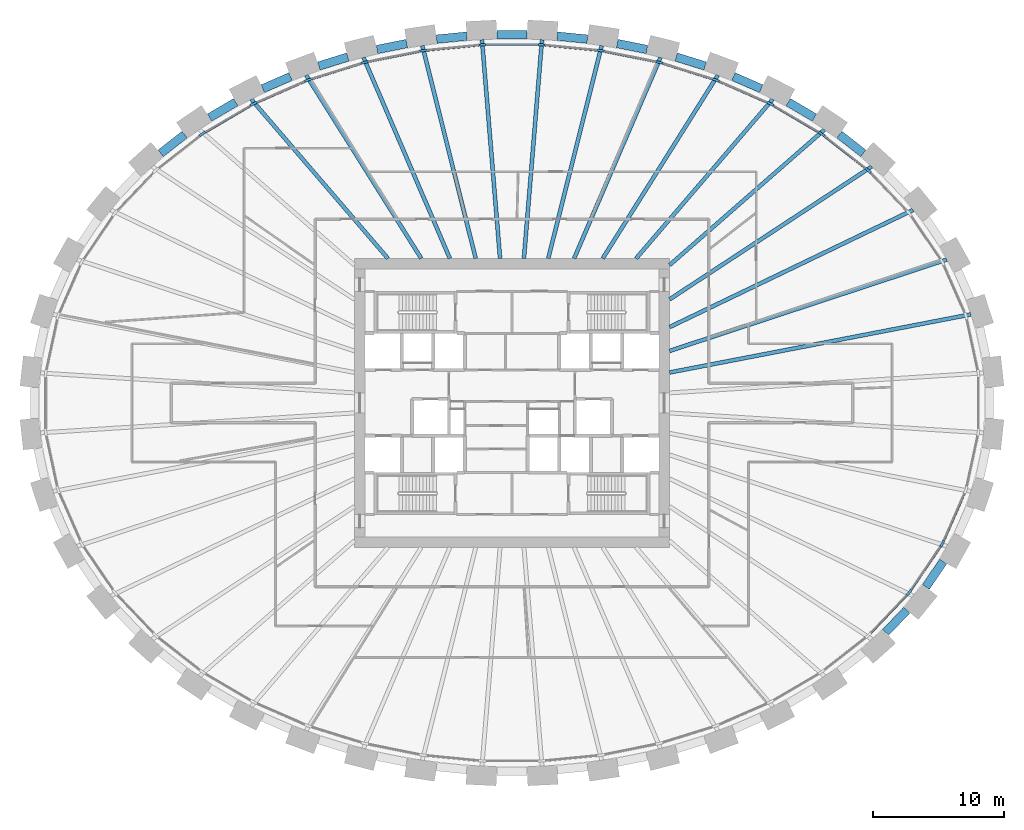
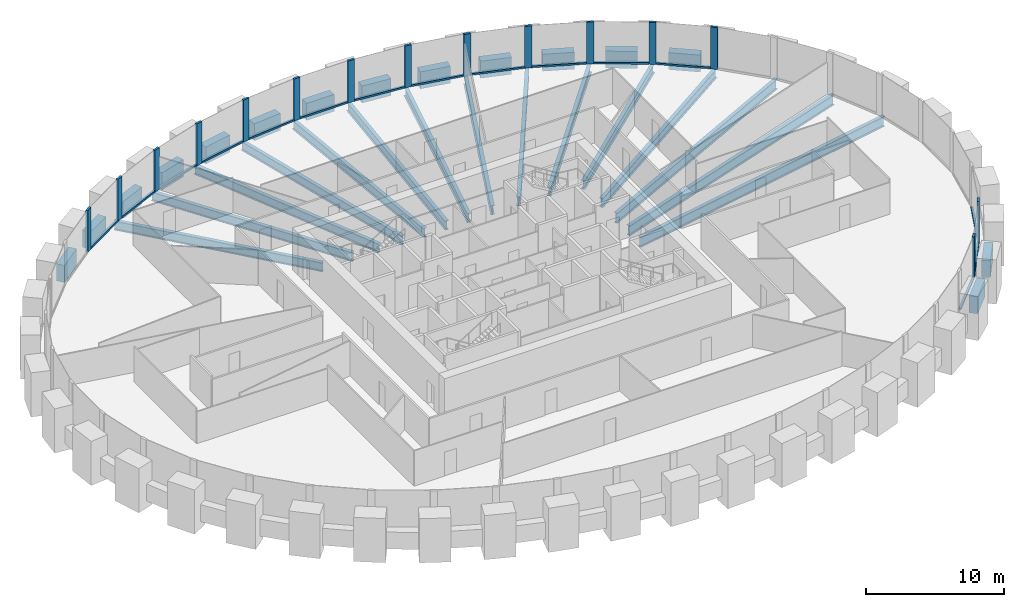
# One storey, part 3 of 11: 30 beams, 30 members, 1 element without a shape of its own.
"""IFC4 building model written with IfcOpenShell, lengths in metres."""

from ifc_helpers import new_model, si_unit, direction, frame, origin, origin_2d, place, context, subcontext, project, spatial, rectangle, i_section, extrude, source, transform, mapped, material, material_profile, profile_set, type_object, element, aggregate, save


model = new_model("IFC4")

# Units and contexts
model_context = context("Model", 3, precision=1e-05, world=origin(), true_north=direction((0.0, 1.0)))
body_context = subcontext(model_context, "Body", "Model", "MODEL_VIEW")
ifc_project = project(units=[si_unit("LENGTHUNIT", "METRE"), si_unit("AREAUNIT", "SQUARE_METRE"), si_unit("VOLUMEUNIT", "CUBIC_METRE"), si_unit("PLANEANGLEUNIT", "RADIAN"), si_unit("MASSUNIT", "GRAM", prefix="KILO")], contexts=[model_context])

# Site, building, storey
site_placement = place(None, origin())
site = spatial("IfcSite", under=ifc_project, at=site_placement, CompositionType="ELEMENT")
building_placement = place(site_placement, origin())
building = spatial("IfcBuilding", under=site, at=building_placement, Name="Embergate Tower", CompositionType="ELEMENT")
storey_placement = place(building_placement, frame((0.0, 0.0, 187.199951171875)))
storey = spatial("IfcBuildingStorey", under=building, at=storey_placement, Name="L42", CompositionType="ELEMENT", Elevation=187.199951171875)

# Beams
ifc_material_1 = material(Name="Concrete C70", Category="concrete")
ifc_material_profile_1 = material_profile(ifc_material_1, rectangle(XDim=0.64990234375, YDim=1.5, at=origin_2d()), Name="RC 650x1500")
ifc_profile_set_1 = profile_set([ifc_material_profile_1], Name="Concrete C70")
beam_type_1 = type_object("IfcBeamType", Name="Spandrel beam RC 650x1500 C70", PredefinedType="BEAM", material=ifc_profile_set_1)
shared_shape_1 = source(origin(), body_context, "Body", "SweptSolid", [
    extrude(rectangle(XDim=0.64990234375, YDim=1.5, at=origin_2d()), origin(), (0.0, 0.0, 1.0), 2.329345703125),
])
beam_1_placement = place(storey_placement, frame((31.52587890625, -14.009033203125, 0.0), z_axis=(0.562416089232, 0.826854366, 0.0), x_axis=(-0.826854366, 0.562416089232, 0.0)))
element("IfcBeam", 1, at=beam_1_placement, inside=storey, type_object=beam_type_1, Name="SPN-L42-40", PredefinedType="BEAM", context=body_context, shape_type="MappedRepresentation", body=[
    mapped(shared_shape_1, transform((0.0, 0.0, 0.0))),
])
shared_shape_2 = source(origin(), body_context, "Body", "SweptSolid", [
    extrude(rectangle(XDim=0.64990234375, YDim=1.5, at=origin_2d()), origin(), (0.0, 0.0, 1.0), 2.322265625),
])
beam_2_placement = place(storey_placement, frame((28.462890625, -17.466064453125, 0.0), z_axis=(0.690300694886, 0.723522598569, 0.0), x_axis=(-0.723522598569, 0.690300694886, 0.0)))
element("IfcBeam", 2, at=beam_2_placement, inside=storey, type_object=beam_type_1, Name="SPN-L42-39", PredefinedType="BEAM", context=body_context, shape_type="MappedRepresentation", body=[
    mapped(shared_shape_2, transform((0.0, 0.0, 0.0))),
])
shared_shape_3 = source(origin(), body_context, "Body", "SweptSolid", [
    extrude(rectangle(XDim=0.64990234375, YDim=1.5, at=origin_2d()), origin(), (0.0, 0.0, 1.0), 2.31787109375),
])
for number, where, z_axis, x_axis, name in (
    (3, (26.758056640625, 19.010009765625, 0.0), (-0.788324506127, 0.615259679354, 0.0), (-0.615259679354, -0.788324506127, 0.0), "SPN-L42-04"),
    (4, (-24.930908203125, 20.43603515625, 0.0), (-0.788324506127, -0.615259679354, 0.0), (0.615259679354, -0.788324506127, 0.0), "SPN-L42-16"),
):
    element("IfcBeam", number, at=place(storey_placement, frame(where, z_axis=z_axis, x_axis=x_axis)), inside=storey, type_object=beam_type_1, Name=name, PredefinedType="BEAM", context=body_context, shape_type="MappedRepresentation", body=[
        mapped(shared_shape_3, transform((0.0, 0.0, 0.0))),
    ])
shared_shape_4 = source(origin(), body_context, "Body", "SweptSolid", [
    extrude(rectangle(XDim=0.64990234375, YDim=1.5, at=origin_2d()), origin(), (0.0, 0.0, 1.0), 2.31298828125),
])
for number, where, z_axis, x_axis, name in (
    (5, (23.029052734375, 21.72998046875, 0.0), (-0.86210510292, 0.506729505279, 0.0), (-0.506729505279, -0.86210510292, 0.0), "SPN-L42-05"),
    (6, (-21.034912109375, 22.902099609375, 0.0), (-0.86210510292, -0.506729505279, 0.0), (0.506729505279, -0.86210510292, 0.0), "SPN-L42-15"),
):
    element("IfcBeam", number, at=place(storey_placement, frame(where, z_axis=z_axis, x_axis=x_axis)), inside=storey, type_object=beam_type_1, Name=name, PredefinedType="BEAM", context=body_context, shape_type="MappedRepresentation", body=[
        mapped(shared_shape_4, transform((0.0, 0.0, 0.0))),
    ])
shared_shape_5 = source(origin(), body_context, "Body", "SweptSolid", [
    extrude(rectangle(XDim=0.64990234375, YDim=1.5, at=origin_2d()), origin(), (0.0, 0.0, 1.0), 2.30810546875),
])
for number, where, z_axis, x_axis, name in (
    (7, (18.97705078125, 23.929931640625, 0.0), (-0.91635386748, 0.40036931645, 0.0), (-0.40036931645, -0.91635386748, 0.0), "SPN-L42-06"),
    (8, (-16.862060546875, 24.85400390625, 0.0), (-0.91635386748, -0.40036931645, 0.0), (0.40036931645, -0.91635386748, 0.0), "SPN-L42-14"),
):
    element("IfcBeam", number, at=place(storey_placement, frame(where, z_axis=z_axis, x_axis=x_axis)), inside=storey, type_object=beam_type_1, Name=name, PredefinedType="BEAM", context=body_context, shape_type="MappedRepresentation", body=[
        mapped(shared_shape_5, transform((0.0, 0.0, 0.0))),
    ])
shared_shape_6 = source(origin(), body_context, "Body", "SweptSolid", [
    extrude(rectangle(XDim=0.64990234375, YDim=1.5, at=origin_2d()), origin(), (0.0, 0.0, 1.0), 2.306640625),
])
for number, where, z_axis, x_axis, name in (
    (9, (14.70703125, 25.657958984375, 0.0), (-0.954743281812, 0.297431111074, 0.0), (-0.297431111074, -0.954743281812, 0.0), "SPN-L42-07"),
    (10, (-12.5048828125, 26.343994140625, 0.0), (-0.954743281812, -0.297431111074, 0.0), (0.297431111074, -0.954743281812, 0.0), "SPN-L42-13"),
):
    element("IfcBeam", number, at=place(storey_placement, frame(where, z_axis=z_axis, x_axis=x_axis)), inside=storey, type_object=beam_type_1, Name=name, PredefinedType="BEAM", context=body_context, shape_type="MappedRepresentation", body=[
        mapped(shared_shape_6, transform((0.0, 0.0, 0.0))),
    ])
shared_shape_7 = source(origin(), body_context, "Body", "SweptSolid", [
    extrude(rectangle(XDim=0.64990234375, YDim=1.5, at=origin_2d()), origin(), (0.0, 0.0, 1.0), 2.3037109375),
])
for number, where, z_axis, x_axis, name in (
    (11, (10.27587890625, 26.9130859375, 0.0), (-0.980486815957, 0.196584851232, 0.0), (-0.196584851232, -0.980486815957, 0.0), "SPN-L42-08"),
    (12, (-8.01708984375, 27.365966796875, 0.0), (-0.980486815957, -0.196584851232, 0.0), (0.196584851232, -0.980486815957, 0.0), "SPN-L42-12"),
):
    element("IfcBeam", number, at=place(storey_placement, frame(where, z_axis=z_axis, x_axis=x_axis)), inside=storey, type_object=beam_type_1, Name=name, PredefinedType="BEAM", context=body_context, shape_type="MappedRepresentation", body=[
        mapped(shared_shape_7, transform((0.0, 0.0, 0.0))),
    ])
shared_shape_8 = source(origin(), body_context, "Body", "SweptSolid", [
    extrude(rectangle(XDim=0.64990234375, YDim=1.5, at=origin_2d()), origin(), (0.0, 0.0, 1.0), 2.303955078125),
])
for number, where, z_axis, x_axis, name in (
    (13, (5.741943359375, 27.705078125, 0.0), (-0.995226305482, 0.097594061685, 0.0), (-0.097594061685, -0.995226305482, 0.0), "SPN-L42-09"),
    (14, (-3.448974609375, 27.929931640625, 0.0), (-0.995226305482, -0.097594061685, 0.0), (0.097594061685, -0.995226305482, 0.0), "SPN-L42-11"),
):
    element("IfcBeam", number, at=place(storey_placement, frame(where, z_axis=z_axis, x_axis=x_axis)), inside=storey, type_object=beam_type_1, Name=name, PredefinedType="BEAM", context=body_context, shape_type="MappedRepresentation", body=[
        mapped(shared_shape_8, transform((0.0, 0.0, 0.0))),
    ])
shared_shape_9 = source(origin(), body_context, "Body", "SweptSolid", [
    extrude(rectangle(XDim=0.64990234375, YDim=1.5, at=origin_2d()), origin(), (0.0, 0.0, 1.0), 2.30419921875),
])
beam_3_placement = place(storey_placement, frame((1.152099609375, 28.04296875, 0.0), z_axis=(-1.0, 0.0, 0.0), x_axis=(0.0, -1.0, 0.0)))
element("IfcBeam", 15, at=beam_3_placement, inside=storey, type_object=beam_type_1, Name="SPN-L42-10", PredefinedType="BEAM", context=body_context, shape_type="MappedRepresentation", body=[
    mapped(shared_shape_9, transform((0.0, 0.0, 0.0))),
])
ifc_material_2 = material(Name="Steel Q355B", Category="steel")
ifc_material_profile_2 = material_profile(ifc_material_2, i_section(OverallWidth=0.300048828125, OverallDepth=0.89990234375, WebThickness=0.01611328125, FlangeThickness=0.028076171875, FilletRadius=0.028076171875, at=origin_2d()), Name="HN 900x300x16x28")
ifc_profile_set_2 = profile_set([ifc_material_profile_2], Name="Steel Q355 grade B")
beam_type_2 = type_object("IfcBeamType", Name="Radial girder HN 900x300x16x28", PredefinedType="BEAM", material=ifc_profile_set_2)
shared_shape_10 = source(origin(), body_context, "Body", "SweptSolid", [
    extrude(i_section(OverallWidth=0.300048828125, OverallDepth=0.89990234375, WebThickness=0.01611328125, FlangeThickness=0.028076171875, FilletRadius=0.028076171875, at=origin_2d()), origin(), (0.0, 0.0, 1.0), 23.368896484375),
])
beam_4_placement = place(storey_placement, frame((34.946044921875, 6.740966796875, -0.64990234375), z_axis=(-0.981900554316, -0.189397205456, 0.0), x_axis=(0.189397205456, -0.981900554316, 0.0)))
element("IfcBeam", 16, at=beam_4_placement, inside=storey, type_object=beam_type_2, Name="GIR-L42-01", PredefinedType="BEAM", context=body_context, shape_type="MappedRepresentation", body=[
    mapped(shared_shape_10, transform((0.0, 0.0, 0.0))),
])
shared_shape_11 = source(origin(), body_context, "Body", "SweptSolid", [
    extrude(i_section(OverallWidth=0.300048828125, OverallDepth=0.89990234375, WebThickness=0.01611328125, FlangeThickness=0.028076171875, FilletRadius=0.028076171875, at=origin_2d()), origin(), (0.0, 0.0, 1.0), 22.2314453125),
])
beam_5_placement = place(storey_placement, frame((33.113037109375, 10.919921875, -0.64990234375), z_axis=(-0.949687686315, -0.313198496903, 0.0), x_axis=(0.313198496903, -0.949687686315, 0.0)))
element("IfcBeam", 17, at=beam_5_placement, inside=storey, type_object=beam_type_2, Name="GIR-L42-02", PredefinedType="BEAM", context=body_context, shape_type="MappedRepresentation", body=[
    mapped(shared_shape_11, transform((0.0, 0.0, 0.0))),
])
shared_shape_12 = source(origin(), body_context, "Body", "SweptSolid", [
    extrude(i_section(OverallWidth=0.300048828125, OverallDepth=0.89990234375, WebThickness=0.01611328125, FlangeThickness=0.028076171875, FilletRadius=0.028076171875, at=origin_2d()), origin(), (0.0, 0.0, 1.0), 20.580322265625),
])
beam_6_placement = place(storey_placement, frame((30.5458984375, 14.695068359375, -0.64990234375), z_axis=(-0.901141928055, -0.433524192522, 0.0), x_axis=(0.433524192522, -0.901141928055, 0.0)))
element("IfcBeam", 18, at=beam_6_placement, inside=storey, type_object=beam_type_2, Name="GIR-L42-03", PredefinedType="BEAM", context=body_context, shape_type="MappedRepresentation", body=[
    mapped(shared_shape_12, transform((0.0, 0.0, 0.0))),
])
ifc_material_profile_3 = material_profile(ifc_material_2, i_section(OverallWidth=0.300048828125, OverallDepth=0.800048828125, WebThickness=0.013916015625, FlangeThickness=0.02587890625, FilletRadius=0.028076171875, at=origin_2d()), Name="HN 800x300x14x26")
ifc_profile_set_3 = profile_set([ifc_material_profile_3], Name="Steel Q355 grade B")
beam_type_3 = type_object("IfcBeamType", Name="Radial girder HN 800x300x14x26", PredefinedType="BEAM", material=ifc_profile_set_3)
shared_shape_13 = source(origin(), body_context, "Body", "SweptSolid", [
    extrude(i_section(OverallWidth=0.300048828125, OverallDepth=0.800048828125, WebThickness=0.013916015625, FlangeThickness=0.02587890625, FilletRadius=0.028076171875, at=origin_2d()), origin(), (0.0, 0.0, 1.0), 18.420654296875),
])
beam_7_placement = place(storey_placement, frame((27.39501953125, 17.9990234375, -0.599853515625), z_axis=(-0.835748751714, -0.549112032292, 0.0), x_axis=(0.549112032292, -0.835748751714, 0.0)))
element("IfcBeam", 19, at=beam_7_placement, inside=storey, type_object=beam_type_3, Name="GIR-L42-04", PredefinedType="BEAM", context=body_context, shape_type="MappedRepresentation", body=[
    mapped(shared_shape_13, transform((0.0, 0.0, 0.0))),
])
shared_shape_14 = source(origin(), body_context, "Body", "SweptSolid", [
    extrude(i_section(OverallWidth=0.300048828125, OverallDepth=0.800048828125, WebThickness=0.013916015625, FlangeThickness=0.02587890625, FilletRadius=0.028076171875, at=origin_2d()), origin(), (0.0, 0.0, 1.0), 15.6689453125),
])
beam_8_placement = place(storey_placement, frame((23.794921875, 20.81005859375, -0.599853515625), z_axis=(-0.752754264338, -0.658301615919, 0.0), x_axis=(0.658301615919, -0.752754264338, 0.0)))
element("IfcBeam", 20, at=beam_8_placement, inside=storey, type_object=beam_type_3, Name="GIR-L42-05", PredefinedType="BEAM", context=body_context, shape_type="MappedRepresentation", body=[
    mapped(shared_shape_14, transform((0.0, 0.0, 0.0))),
])
shared_shape_15 = source(origin(), body_context, "Body", "SweptSolid", [
    extrude(i_section(OverallWidth=0.300048828125, OverallDepth=0.800048828125, WebThickness=0.013916015625, FlangeThickness=0.02587890625, FilletRadius=0.028076171875, at=origin_2d()), origin(), (0.0, 0.0, 1.0), 15.98193359375),
])
for number, where, z_axis, x_axis, name in (
    (21, (19.85791015625, 23.125, -0.599853515625), (-0.651476732158, -0.758668615047, 0.0), (0.758668615047, -0.651476732158, 0.0), "GIR-L42-06"),
    (22, (-19.85791015625, 23.125, -0.599853515625), (0.651476732158, -0.758668615047, 0.0), (0.758668615047, 0.651476732158, 0.0), "GIR-L42-15"),
):
    element("IfcBeam", number, at=place(storey_placement, frame(where, z_axis=z_axis, x_axis=x_axis)), inside=storey, type_object=beam_type_3, Name=name, PredefinedType="BEAM", context=body_context, shape_type="MappedRepresentation", body=[
        mapped(shared_shape_15, transform((0.0, 0.0, 0.0))),
    ])
shared_shape_16 = source(origin(), body_context, "Body", "SweptSolid", [
    extrude(i_section(OverallWidth=0.300048828125, OverallDepth=0.800048828125, WebThickness=0.013916015625, FlangeThickness=0.02587890625, FilletRadius=0.028076171875, at=origin_2d()), origin(), (0.0, 0.0, 1.0), 16.47802734375),
])
for number, where, z_axis, x_axis, name in (
    (23, (15.672119140625, 24.9541015625, -0.599853515625), (-0.531867473593, -0.846827603786, 0.0), (0.846827603786, -0.531867473593, 0.0), "GIR-L42-07"),
    (24, (-15.672119140625, 24.9541015625, -0.599853515625), (0.531867473593, -0.846827603786, 0.0), (0.846827603786, 0.531867473593, 0.0), "GIR-L42-14"),
):
    element("IfcBeam", number, at=place(storey_placement, frame(where, z_axis=z_axis, x_axis=x_axis)), inside=storey, type_object=beam_type_3, Name=name, PredefinedType="BEAM", context=body_context, shape_type="MappedRepresentation", body=[
        mapped(shared_shape_16, transform((0.0, 0.0, 0.0))),
    ])
shared_shape_17 = source(origin(), body_context, "Body", "SweptSolid", [
    extrude(i_section(OverallWidth=0.300048828125, OverallDepth=0.800048828125, WebThickness=0.013916015625, FlangeThickness=0.02587890625, FilletRadius=0.028076171875, at=origin_2d()), origin(), (0.0, 0.0, 1.0), 16.667724609375),
])
for number, where, z_axis, x_axis, name in (
    (25, (11.31005859375, 26.31298828125, -0.599853515625), (-0.394898441687, -0.918724779655, 0.0), (0.918724779655, -0.394898441687, 0.0), "GIR-L42-08"),
    (26, (-11.31005859375, 26.31298828125, -0.599853515625), (0.394898441687, -0.918724779655, 0.0), (0.918724779655, 0.394898441687, 0.0), "GIR-L42-13"),
):
    element("IfcBeam", number, at=place(storey_placement, frame(where, z_axis=z_axis, x_axis=x_axis)), inside=storey, type_object=beam_type_3, Name=name, PredefinedType="BEAM", context=body_context, shape_type="MappedRepresentation", body=[
        mapped(shared_shape_17, transform((0.0, 0.0, 0.0))),
    ])
shared_shape_18 = source(origin(), body_context, "Body", "SweptSolid", [
    extrude(i_section(OverallWidth=0.300048828125, OverallDepth=0.800048828125, WebThickness=0.013916015625, FlangeThickness=0.02587890625, FilletRadius=0.028076171875, at=origin_2d()), origin(), (0.0, 0.0, 1.0), 16.7138671875),
])
for number, where, z_axis, x_axis, name in (
    (27, (6.8310546875, 27.2109375, -0.599853515625), (-0.243456622588, -0.969911786153, 0.0), (0.969911786153, -0.243456622588, 0.0), "GIR-L42-09"),
    (28, (-6.8310546875, 27.2109375, -0.599853515625), (0.243456622588, -0.969911786153, 0.0), (0.969911786153, 0.243456622588, 0.0), "GIR-L42-12"),
):
    element("IfcBeam", number, at=place(storey_placement, frame(where, z_axis=z_axis, x_axis=x_axis)), inside=storey, type_object=beam_type_3, Name=name, PredefinedType="BEAM", context=body_context, shape_type="MappedRepresentation", body=[
        mapped(shared_shape_18, transform((0.0, 0.0, 0.0))),
    ])
shared_shape_19 = source(origin(), body_context, "Body", "SweptSolid", [
    extrude(i_section(OverallWidth=0.300048828125, OverallDepth=0.800048828125, WebThickness=0.013916015625, FlangeThickness=0.02587890625, FilletRadius=0.028076171875, at=origin_2d()), origin(), (0.0, 0.0, 1.0), 16.714599609375),
])
for number, where, z_axis, x_axis, name in (
    (29, (2.284912109375, 27.657958984375, -0.599853515625), (-0.08232138593, -0.99660583453, 0.0), (0.99660583453, -0.08232138593, 0.0), "GIR-L42-10"),
    (30, (-2.284912109375, 27.657958984375, -0.599853515625), (0.08232138593, -0.99660583453, 0.0), (0.99660583453, 0.08232138593, 0.0), "GIR-L42-11"),
):
    element("IfcBeam", number, at=place(storey_placement, frame(where, z_axis=z_axis, x_axis=x_axis)), inside=storey, type_object=beam_type_3, Name=name, PredefinedType="BEAM", context=body_context, shape_type="MappedRepresentation", body=[
        mapped(shared_shape_19, transform((0.0, 0.0, 0.0))),
    ])

# Curtain wall, members
ifc_material_3 = material(Name="Aluminium and glass", Category="aluminium")
curtain_wall_type = type_object("IfcCurtainWallType", Name="Recessed office glazing", PredefinedType="NOTDEFINED", material=ifc_material_3)
curtain_wall_placement = place(storey_placement, origin())
curtain_wall = element("IfcCurtainWall", 31, at=curtain_wall_placement, inside=storey, type_object=curtain_wall_type, Name="Recessed office glazing ring", ObjectType="RECESSED OFFICE GLAZING", PredefinedType="USERDEFINED")
ifc_material_4 = material(Name="Aluminium, thermally broken", Category="aluminium")
ifc_material_profile_4 = material_profile(ifc_material_4, rectangle(XDim=0.179931640625, YDim=0.52001953125, at=origin_2d()), Name="AL 520x180")
ifc_profile_set_4 = profile_set([ifc_material_profile_4], Name="Aluminium, thermally broken")
member_type_1 = type_object("IfcMemberType", Name="Office mullion", PredefinedType="MULLION", material=ifc_profile_set_4)
shared_shape_20 = source(origin(), body_context, "Body", "SweptSolid", [
    extrude(rectangle(XDim=0.179931640625, YDim=0.52001953125, at=origin_2d()), origin(), (0.0, 0.0, 1.0), 3.699951171875),
])
member_1_placement = place(storey_placement, frame((27.13427734375, 17.709716796875, 0.0), z_axis=(0.0, 0.0, 1.0), x_axis=(-0.671229121411, -0.741249935292, 0.0)))
member_1 = element("IfcMember", 32, at=member_1_placement, type_object=member_type_1, Name="CW mullion 5", PredefinedType="MULLION", context=body_context, shape_type="MappedRepresentation", body=[
    mapped(shared_shape_20, transform((0.0, 0.0, 0.0))),
])
member_2_placement = place(storey_placement, frame((23.576416015625, 20.486328125, 0.0), z_axis=(0.0, 0.0, 1.0), x_axis=(-0.562219061911, -0.826988347211, 0.0)))
member_2 = element("IfcMember", 33, at=member_2_placement, type_object=member_type_1, Name="CW mullion 6", PredefinedType="MULLION", context=body_context, shape_type="MappedRepresentation", body=[
    mapped(shared_shape_20, transform((0.0, 0.0, 0.0))),
])
member_3_placement = place(storey_placement, frame((19.680908203125, 22.776611328125, 0.0), z_axis=(0.0, 0.0, 1.0), x_axis=(-0.454512935162, -0.89074013706, 0.0)))
member_3 = element("IfcMember", 34, at=member_3_placement, type_object=member_type_1, Name="CW mullion 7", PredefinedType="MULLION", context=body_context, shape_type="MappedRepresentation", body=[
    mapped(shared_shape_20, transform((0.0, 0.0, 0.0))),
])
member_4_placement = place(storey_placement, frame((15.536376953125, 24.5888671875, 0.0), z_axis=(0.0, 0.0, 1.0), x_axis=(-0.349504318111, -0.93693475313, 0.0)))
member_4 = element("IfcMember", 35, at=member_4_placement, type_object=member_type_1, Name="CW mullion 8", PredefinedType="MULLION", context=body_context, shape_type="MappedRepresentation", body=[
    mapped(shared_shape_20, transform((0.0, 0.0, 0.0))),
])
member_5_placement = place(storey_placement, frame((11.21435546875, 25.934814453125, 0.0), z_axis=(0.0, 0.0, 1.0), x_axis=(-0.247313572481, -0.968935496752, 0.0)))
member_5 = element("IfcMember", 36, at=member_5_placement, type_object=member_type_1, Name="CW mullion 9", PredefinedType="MULLION", context=body_context, shape_type="MappedRepresentation", body=[
    mapped(shared_shape_20, transform((0.0, 0.0, 0.0))),
])
member_6_placement = place(storey_placement, frame((6.773681640625, 26.825439453125, 0.0), z_axis=(0.0, 0.0, 1.0), x_axis=(-0.147412382818, -0.989075118174, 0.0)))
member_6 = element("IfcMember", 37, at=member_6_placement, type_object=member_type_1, Name="CW mullion 10", PredefinedType="MULLION", context=body_context, shape_type="MappedRepresentation", body=[
    mapped(shared_shape_20, transform((0.0, 0.0, 0.0))),
])
member_7_placement = place(storey_placement, frame((2.265380859375, 27.268798828125, 0.0), z_axis=(0.0, 0.0, 1.0), x_axis=(-0.048971796621, -0.998800161762, 0.0)))
member_7 = element("IfcMember", 38, at=member_7_placement, type_object=member_type_1, Name="CW mullion 11", PredefinedType="MULLION", context=body_context, shape_type="MappedRepresentation", body=[
    mapped(shared_shape_20, transform((0.0, 0.0, 0.0))),
])
member_8_placement = place(storey_placement, frame((-2.265380859375, 27.268798828125, 0.0), z_axis=(0.0, 0.0, 1.0), x_axis=(0.048971796621, -0.998800161762, 0.0)))
member_8 = element("IfcMember", 39, at=member_8_placement, type_object=member_type_1, Name="CW mullion 12", PredefinedType="MULLION", context=body_context, shape_type="MappedRepresentation", body=[
    mapped(shared_shape_20, transform((0.0, 0.0, 0.0))),
])
member_9_placement = place(storey_placement, frame((-6.773681640625, 26.825439453125, 0.0), z_axis=(0.0, 0.0, 1.0), x_axis=(0.147412382818, -0.989075118174, 0.0)))
member_9 = element("IfcMember", 40, at=member_9_placement, type_object=member_type_1, Name="CW mullion 13", PredefinedType="MULLION", context=body_context, shape_type="MappedRepresentation", body=[
    mapped(shared_shape_20, transform((0.0, 0.0, 0.0))),
])
member_10_placement = place(storey_placement, frame((-11.21435546875, 25.934814453125, 0.0), z_axis=(0.0, 0.0, 1.0), x_axis=(0.247313572481, -0.968935496752, 0.0)))
member_10 = element("IfcMember", 41, at=member_10_placement, type_object=member_type_1, Name="CW mullion 14", PredefinedType="MULLION", context=body_context, shape_type="MappedRepresentation", body=[
    mapped(shared_shape_20, transform((0.0, 0.0, 0.0))),
])
member_11_placement = place(storey_placement, frame((-15.536376953125, 24.5888671875, 0.0), z_axis=(0.0, 0.0, 1.0), x_axis=(0.349504318111, -0.93693475313, 0.0)))
member_11 = element("IfcMember", 42, at=member_11_placement, type_object=member_type_1, Name="CW mullion 15", PredefinedType="MULLION", context=body_context, shape_type="MappedRepresentation", body=[
    mapped(shared_shape_20, transform((0.0, 0.0, 0.0))),
])
member_12_placement = place(storey_placement, frame((-19.680908203125, 22.776611328125, 0.0), z_axis=(0.0, 0.0, 1.0), x_axis=(0.454512935162, -0.89074013706, 0.0)))
member_12 = element("IfcMember", 43, at=member_12_placement, type_object=member_type_1, Name="CW mullion 16", PredefinedType="MULLION", context=body_context, shape_type="MappedRepresentation", body=[
    mapped(shared_shape_20, transform((0.0, 0.0, 0.0))),
])
member_13_placement = place(storey_placement, frame((-23.576416015625, 20.486328125, 0.0), z_axis=(0.0, 0.0, 1.0), x_axis=(0.562219061911, -0.826988347211, 0.0)))
member_13 = element("IfcMember", 44, at=member_13_placement, type_object=member_type_1, Name="CW mullion 17", PredefinedType="MULLION", context=body_context, shape_type="MappedRepresentation", body=[
    mapped(shared_shape_20, transform((0.0, 0.0, 0.0))),
])
member_14_placement = place(storey_placement, frame((30.24365234375, -14.448974609375, 0.0), z_axis=(0.0, 0.0, 1.0), x_axis=(-0.777873661157, 0.62842069291, 0.0)))
member_14 = element("IfcMember", 45, at=member_14_placement, type_object=member_type_1, Name="CW mullion 41", PredefinedType="MULLION", context=body_context, shape_type="MappedRepresentation", body=[
    mapped(shared_shape_20, transform((0.0, 0.0, 0.0))),
])
member_15_placement = place(storey_placement, frame((32.7724609375, -10.73046875, 0.0), z_axis=(0.0, 0.0, 1.0), x_axis=(-0.875002740779, 0.484117964581, 0.0)))
member_15 = element("IfcMember", 46, at=member_15_placement, type_object=member_type_1, Name="CW mullion 42", PredefinedType="MULLION", context=body_context, shape_type="MappedRepresentation", body=[
    mapped(shared_shape_20, transform((0.0, 0.0, 0.0))),
])
ifc_material_profile_5 = material_profile(ifc_material_4, rectangle(XDim=0.179931640625, YDim=0.14990234375, at=origin_2d()), Name="AL 150x180")
ifc_profile_set_5 = profile_set([ifc_material_profile_5], Name="Aluminium, thermally broken")
member_type_2 = type_object("IfcMemberType", Name="Office sill transom", PredefinedType="USERDEFINED", material=ifc_profile_set_5)
shared_shape_21 = source(origin(), body_context, "Body", "SweptSolid", [
    extrude(rectangle(XDim=0.179931640625, YDim=0.14990234375, at=origin_2d()), origin(), (0.0, 0.0, 1.0), 3.968017578125),
])
member_16_placement = place(storey_placement, frame((32.876953125, -10.4921875, 0.074951171875), z_axis=(0.401657873891, 0.915789797028, 0.0), x_axis=(-0.915789797028, 0.401657873891, 0.0)))
member_16 = element("IfcMember", 47, at=member_16_placement, type_object=member_type_2, Name="CW transom 42.1", ObjectType="TRANSOM", PredefinedType="USERDEFINED", context=body_context, shape_type="MappedRepresentation", body=[
    mapped(shared_shape_21, transform((0.0, 0.0, 0.0))),
])
shared_shape_22 = source(origin(), body_context, "Body", "SweptSolid", [
    extrude(rectangle(XDim=0.179931640625, YDim=0.14990234375, at=origin_2d()), origin(), (0.0, 0.0, 1.0), 3.976806640625),
])
member_17_placement = place(storey_placement, frame((30.389892578125, -14.23388671875, 0.074951171875), z_axis=(0.5623268127, 0.826915083741, 0.0), x_axis=(-0.826915083741, 0.5623268127, 0.0)))
member_17 = element("IfcMember", 48, at=member_17_placement, type_object=member_type_2, Name="CW transom 41.1", ObjectType="TRANSOM", PredefinedType="USERDEFINED", context=body_context, shape_type="MappedRepresentation", body=[
    mapped(shared_shape_22, transform((0.0, 0.0, 0.0))),
])
shared_shape_23 = source(origin(), body_context, "Body", "SweptSolid", [
    extrude(rectangle(XDim=0.179931640625, YDim=0.14990234375, at=origin_2d()), origin(), (0.0, 0.0, 1.0), 3.985595703125),
])
member_18_placement = place(storey_placement, frame((27.313720703125, -17.521484375, 0.074951171875), z_axis=(0.690123088355, 0.723692008329, 0.0), x_axis=(-0.723692008329, 0.690123088355, 0.0)))
member_18 = element("IfcMember", 49, at=member_18_placement, type_object=member_type_2, Name="CW transom 40.1", ObjectType="TRANSOM", PredefinedType="USERDEFINED", context=body_context, shape_type="MappedRepresentation", body=[
    mapped(shared_shape_23, transform((0.0, 0.0, 0.0))),
])
shared_shape_24 = source(origin(), body_context, "Body", "SweptSolid", [
    extrude(rectangle(XDim=0.179931640625, YDim=0.14990234375, at=origin_2d()), origin(), (0.0, 0.0, 1.0), 3.992919921875),
])
member_19_placement = place(storey_placement, frame((26.92919921875, 17.86962890625, 0.074951171875), z_axis=(-0.788310720269, 0.615277342594, 0.0), x_axis=(-0.615277342594, -0.788310720269, 0.0)))
member_19 = element("IfcMember", 50, at=member_19_placement, type_object=member_type_2, Name="CW transom 5.1", ObjectType="TRANSOM", PredefinedType="USERDEFINED", context=body_context, shape_type="MappedRepresentation", body=[
    mapped(shared_shape_24, transform((0.0, 0.0, 0.0))),
])
shared_shape_25 = source(origin(), body_context, "Body", "SweptSolid", [
    extrude(rectangle(XDim=0.179931640625, YDim=0.14990234375, at=origin_2d()), origin(), (0.0, 0.0, 1.0), 3.9990234375),
])
member_20_placement = place(storey_placement, frame((23.352294921875, 20.6181640625, 0.074951171875), z_axis=(-0.862037779563, 0.506844025916, 0.0), x_axis=(-0.506844025916, -0.862037779563, 0.0)))
member_20 = element("IfcMember", 51, at=member_20_placement, type_object=member_type_2, Name="CW transom 6.1", ObjectType="TRANSOM", PredefinedType="USERDEFINED", context=body_context, shape_type="MappedRepresentation", body=[
    mapped(shared_shape_25, transform((0.0, 0.0, 0.0))),
])
member_21_placement = place(storey_placement, frame((-19.905029296875, 22.64501953125, 0.074951171875), z_axis=(-0.862037779563, -0.506844025916, 0.0), x_axis=(0.506844025916, -0.862037779563, 0.0)))
member_21 = element("IfcMember", 52, at=member_21_placement, type_object=member_type_2, Name="CW transom 16.1", ObjectType="TRANSOM", PredefinedType="USERDEFINED", context=body_context, shape_type="MappedRepresentation", body=[
    mapped(shared_shape_25, transform((0.0, 0.0, 0.0))),
])
shared_shape_26 = source(origin(), body_context, "Body", "SweptSolid", [
    extrude(rectangle(XDim=0.179931640625, YDim=0.14990234375, at=origin_2d()), origin(), (0.0, 0.0, 1.0), 4.00341796875),
])
member_22_placement = place(storey_placement, frame((19.442626953125, 22.880859375, 0.074951171875), z_axis=(-0.916224504472, 0.400665268529, 0.0), x_axis=(-0.400665268529, -0.916224504472, 0.0)))
member_22 = element("IfcMember", 53, at=member_22_placement, type_object=member_type_2, Name="CW transom 7.1", ObjectType="TRANSOM", PredefinedType="USERDEFINED", context=body_context, shape_type="MappedRepresentation", body=[
    mapped(shared_shape_26, transform((0.0, 0.0, 0.0))),
])
member_23_placement = place(storey_placement, frame((-15.774658203125, 24.48486328125, 0.074951171875), z_axis=(-0.916224504472, -0.400665268529, 0.0), x_axis=(0.400665268529, -0.916224504472, 0.0)))
member_23 = element("IfcMember", 54, at=member_23_placement, type_object=member_type_2, Name="CW transom 15.1", ObjectType="TRANSOM", PredefinedType="USERDEFINED", context=body_context, shape_type="MappedRepresentation", body=[
    mapped(shared_shape_26, transform((0.0, 0.0, 0.0))),
])
shared_shape_27 = source(origin(), body_context, "Body", "SweptSolid", [
    extrude(rectangle(XDim=0.179931640625, YDim=0.14990234375, at=origin_2d()), origin(), (0.0, 0.0, 1.0), 4.006591796875),
])
member_24_placement = place(storey_placement, frame((15.2880859375, 24.666259765625, 0.074951171875), z_axis=(-0.954766855045, 0.297355431273, 0.0), x_axis=(-0.297355431273, -0.954766855045, 0.0)))
member_24 = element("IfcMember", 55, at=member_24_placement, type_object=member_type_2, Name="CW transom 8.1", ObjectType="TRANSOM", PredefinedType="USERDEFINED", context=body_context, shape_type="MappedRepresentation", body=[
    mapped(shared_shape_27, transform((0.0, 0.0, 0.0))),
])
member_25_placement = place(storey_placement, frame((-11.462646484375, 25.857666015625, 0.074951171875), z_axis=(-0.954766855045, -0.297355431273, 0.0), x_axis=(0.297355431273, -0.954766855045, 0.0)))
member_25 = element("IfcMember", 56, at=member_25_placement, type_object=member_type_2, Name="CW transom 14.1", ObjectType="TRANSOM", PredefinedType="USERDEFINED", context=body_context, shape_type="MappedRepresentation", body=[
    mapped(shared_shape_27, transform((0.0, 0.0, 0.0))),
])
shared_shape_28 = source(origin(), body_context, "Body", "SweptSolid", [
    extrude(rectangle(XDim=0.179931640625, YDim=0.14990234375, at=origin_2d()), origin(), (0.0, 0.0, 1.0), 4.009033203125),
])
member_26_placement = place(storey_placement, frame((10.95947265625, 25.986083984375, 0.074951171875), z_axis=(-0.980475131823, 0.196643118053, 0.0), x_axis=(-0.196643118053, -0.980475131823, 0.0)))
member_26 = element("IfcMember", 57, at=member_26_placement, type_object=member_type_2, Name="CW transom 9.1", ObjectType="TRANSOM", PredefinedType="USERDEFINED", context=body_context, shape_type="MappedRepresentation", body=[
    mapped(shared_shape_28, transform((0.0, 0.0, 0.0))),
])
member_27_placement = place(storey_placement, frame((-7.02880859375, 26.7744140625, 0.074951171875), z_axis=(-0.980475131823, -0.196643118053, 0.0), x_axis=(0.196643118053, -0.980475131823, 0.0)))
member_27 = element("IfcMember", 58, at=member_27_placement, type_object=member_type_2, Name="CW transom 13.1", ObjectType="TRANSOM", PredefinedType="USERDEFINED", context=body_context, shape_type="MappedRepresentation", body=[
    mapped(shared_shape_28, transform((0.0, 0.0, 0.0))),
])
shared_shape_29 = source(origin(), body_context, "Body", "SweptSolid", [
    extrude(rectangle(XDim=0.179931640625, YDim=0.14990234375, at=origin_2d()), origin(), (0.0, 0.0, 1.0), 4.01025390625),
])
member_28_placement = place(storey_placement, frame((6.51513671875, 26.850830078125, 0.074951171875), z_axis=(-0.995196827503, 0.097894200687, 0.0), x_axis=(-0.097894200687, -0.995196827503, 0.0)))
member_28 = element("IfcMember", 59, at=member_28_placement, type_object=member_type_2, Name="CW transom 10.1", ObjectType="TRANSOM", PredefinedType="USERDEFINED", context=body_context, shape_type="MappedRepresentation", body=[
    mapped(shared_shape_29, transform((0.0, 0.0, 0.0))),
])
member_29_placement = place(storey_placement, frame((-2.524169921875, 27.243408203125, 0.074951171875), z_axis=(-0.995196827503, -0.097894200687, 0.0), x_axis=(0.097894200687, -0.995196827503, 0.0)))
member_29 = element("IfcMember", 60, at=member_29_placement, type_object=member_type_2, Name="CW transom 12.1", ObjectType="TRANSOM", PredefinedType="USERDEFINED", context=body_context, shape_type="MappedRepresentation", body=[
    mapped(shared_shape_29, transform((0.0, 0.0, 0.0))),
])
shared_shape_30 = source(origin(), body_context, "Body", "SweptSolid", [
    extrude(rectangle(XDim=0.179931640625, YDim=0.14990234375, at=origin_2d()), origin(), (0.0, 0.0, 1.0), 4.0107421875),
])
member_30_placement = place(storey_placement, frame((2.00537109375, 27.268798828125, 0.074951171875), z_axis=(-1.0, 0.0, 0.0), x_axis=(0.0, -1.0, 0.0)))
member_30 = element("IfcMember", 61, at=member_30_placement, type_object=member_type_2, Name="CW transom 11.1", ObjectType="TRANSOM", PredefinedType="USERDEFINED", context=body_context, shape_type="MappedRepresentation", body=[
    mapped(shared_shape_30, transform((0.0, 0.0, 0.0))),
])
aggregate(curtain_wall, [member_1, member_2, member_3, member_4, member_5, member_6, member_7, member_8, member_9, member_10, member_11, member_12, member_13, member_14, member_15, member_19, member_20, member_22, member_24, member_26, member_28, member_30, member_29, member_27, member_25, member_23, member_21, member_18, member_17, member_16])

save(model, "model.ifc")
